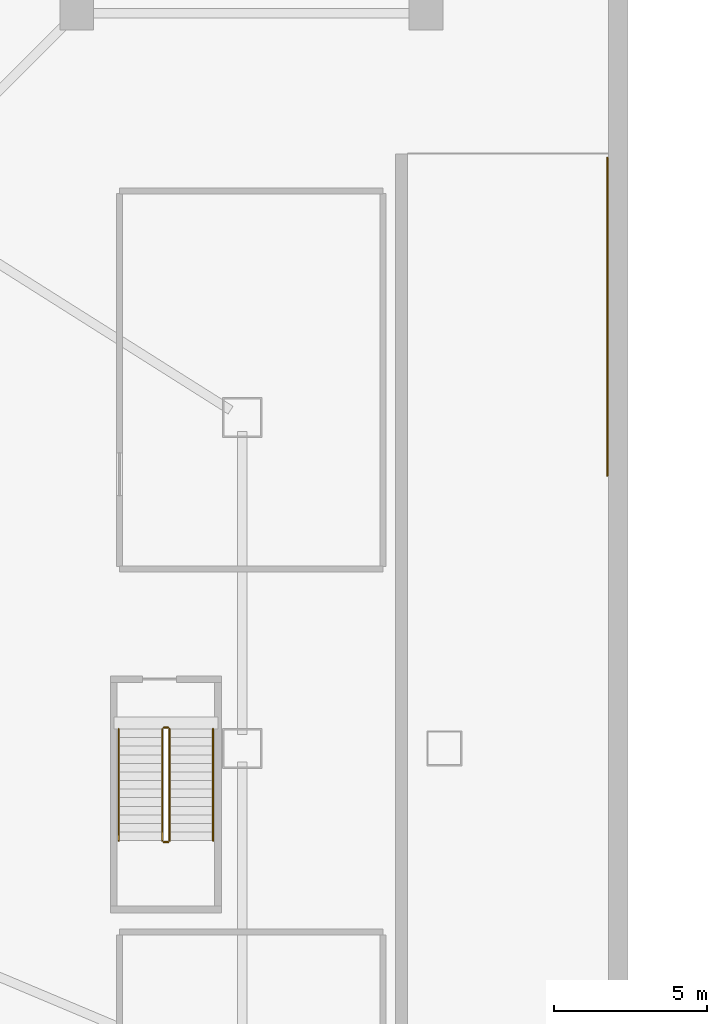
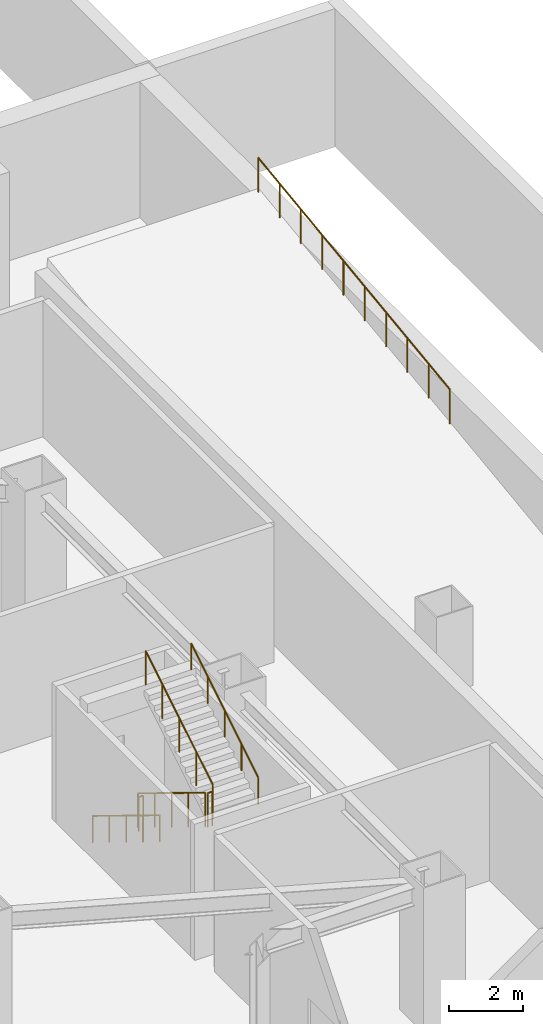
# One storey, part 14 of 15: 7 railings.
"""IFC4 building model written with IfcOpenShell, lengths in metres."""

from ifc_helpers import new_model, si_unit, direction, frame, origin, origin_2d, place, context, subcontext, project, spatial, circle, extrude, material, type_object, element, save


model = new_model("IFC4")

# Units and contexts
model_context = context("Model", 3, precision=1e-05, world=origin(), true_north=direction((0.0, 1.0)))
body_context = subcontext(model_context, "Body", "Model", "MODEL_VIEW")
ifc_project = project(units=[si_unit("LENGTHUNIT", "METRE"), si_unit("AREAUNIT", "SQUARE_METRE"), si_unit("VOLUMEUNIT", "CUBIC_METRE"), si_unit("PLANEANGLEUNIT", "RADIAN"), si_unit("MASSUNIT", "GRAM", prefix="KILO")], contexts=[model_context])

# Site, building, storey
site_placement = place(None, origin())
site = spatial("IfcSite", under=ifc_project, at=site_placement, CompositionType="ELEMENT")
building_placement = place(site_placement, origin())
building = spatial("IfcBuilding", under=site, at=building_placement, Name="Haolan Belvedere Tower", CompositionType="ELEMENT")
storey_placement = place(building_placement, frame((0.0, 0.0, -4.800048828125)))
storey = spatial("IfcBuildingStorey", under=building, at=storey_placement, Name="B1", CompositionType="ELEMENT", Elevation=-4.800048828125)

# Railings
ifc_material_1 = material(Name="Galvanised powder-coated steel guardrail", Category="steel")
railing_type_1 = type_object("IfcRailingType", Name="RL-REF-GRD-1150", PredefinedType="GUARDRAIL", material=ifc_material_1)
railing_1_placement = place(storey_placement, frame((76.1201171875, 36.5, 3.419189453125)))
element("IfcRailing", 1, at=railing_1_placement, inside=storey, type_object=railing_type_1, Name="B1 east vehicle ramp VR-02 eastern edge guardrail", PredefinedType="GUARDRAIL", context=body_context, shape_type="SweptSolid", body=[
    extrude(circle(Radius=0.02392578125, at=origin_2d()), frame((0.0, 0.0, 1.1259765625), z_axis=(0.0, 0.991463976316, 0.130380917574), x_axis=(-1.0, 0.0, 0.0)), (0.0, 0.0, 1.0), 10.46923828125),
    extrude(circle(Radius=0.02099609375, at=origin_2d()), origin(), (0.0, 0.0, 1.0), 1.101806640625),
    extrude(circle(Radius=0.02099609375, at=origin_2d()), frame((0.0, 1.1533203125, 0.151611328125)), (0.0, 0.0, 1.0), 1.101806640625),
    extrude(circle(Radius=0.02099609375, at=origin_2d()), frame((0.0, 2.306640625, 0.30322265625)), (0.0, 0.0, 1.0), 1.101806640625),
    extrude(circle(Radius=0.02099609375, at=origin_2d()), frame((0.0, 3.4599609375, 0.455078125)), (0.0, 0.0, 1.0), 1.101806640625),
    extrude(circle(Radius=0.02099609375, at=origin_2d()), frame((0.0, 4.61328125, 0.606689453125)), (0.0, 0.0, 1.0), 1.101806640625),
    extrude(circle(Radius=0.02099609375, at=origin_2d()), frame((0.0, 5.7666015625, 0.75830078125)), (0.0, 0.0, 1.0), 1.101806640625),
    extrude(circle(Radius=0.02099609375, at=origin_2d()), frame((0.0, 6.919921875, 0.909912109375)), (0.0, 0.0, 1.0), 1.101806640625),
    extrude(circle(Radius=0.02099609375, at=origin_2d()), frame((0.0, 8.0732421875, 1.061767578125)), (0.0, 0.0, 1.0), 1.101806640625),
    extrude(circle(Radius=0.02099609375, at=origin_2d()), frame((0.0, 9.2265625, 1.21337890625)), (0.0, 0.0, 1.0), 1.101806640625),
    extrude(circle(Radius=0.02099609375, at=origin_2d()), frame((0.0, 10.3798828125, 1.364990234375)), (0.0, 0.0, 1.0), 1.101806640625),
])
ifc_material_2 = material(Name="Brushed stainless steel 304", Category="steel")
railing_type_2 = type_object("IfcRailingType", Name="RL-STAIR-GRD-1150", PredefinedType="GUARDRAIL", material=ifc_material_2)
railing_2_placement = place(storey_placement, frame((61.590087890625, 28.22998046875, 0.17138671875)))
element("IfcRailing", 2, at=railing_2_placement, inside=storey, type_object=railing_type_2, Name="B1 ST5 stair guard 1", PredefinedType="GUARDRAIL", context=body_context, shape_type="SweptSolid", body=[
    extrude(circle(Radius=0.02392578125, at=origin_2d()), frame((0.0, 0.0, 1.1259765625), z_axis=(0.0, -0.852824790078, 0.522197163366), x_axis=(1.0, 0.0, 0.0)), (0.0, 0.0, 1.0), 4.26806640625),
    extrude(circle(Radius=0.02099609375, at=origin_2d()), origin(), (0.0, 0.0, 1.0), 1.101806640625),
    extrude(circle(Radius=0.02099609375, at=origin_2d()), frame((0.0, -0.909912109375, 0.55712890625)), (0.0, 0.0, 1.0), 1.101806640625),
    extrude(circle(Radius=0.02099609375, at=origin_2d()), frame((0.0, -1.81982421875, 1.1142578125)), (0.0, 0.0, 1.0), 1.101806640625),
    extrude(circle(Radius=0.02099609375, at=origin_2d()), frame((0.0, -2.72998046875, 1.671630859375)), (0.0, 0.0, 1.0), 1.101806640625),
    extrude(circle(Radius=0.02099609375, at=origin_2d()), frame((0.0, -3.639892578125, 2.228759765625)), (0.0, 0.0, 1.0), 1.101806640625),
])
railing_3_placement = place(storey_placement, frame((61.639892578125, 24.5400390625, 2.400146484375)))
element("IfcRailing", 3, at=railing_3_placement, inside=storey, type_object=railing_type_2, Name="B1 ST5 stair guard 2", PredefinedType="GUARDRAIL", context=body_context, shape_type="SweptSolid", body=[
    extrude(circle(Radius=0.02392578125, at=origin_2d()), frame((0.0, 0.0, 1.1259765625), z_axis=(1.0, 0.0, 0.0), x_axis=(0.0, 1.0, 0.0)), (0.0, 0.0, 1.0), 0.14013671875),
    extrude(circle(Radius=0.02099609375, at=origin_2d()), origin(), (0.0, 0.0, 1.0), 1.101806640625),
    extrude(circle(Radius=0.02099609375, at=origin_2d()), frame((0.14013671875, 0.0, 0.0)), (0.0, 0.0, 1.0), 1.101806640625),
])
railing_4_placement = place(storey_placement, frame((61.830078125, 24.590087890625, 2.571533203125)))
element("IfcRailing", 4, at=railing_4_placement, inside=storey, type_object=railing_type_2, Name="B1 ST5 stair guard 3", PredefinedType="GUARDRAIL", context=body_context, shape_type="SweptSolid", body=[
    extrude(circle(Radius=0.02392578125, at=origin_2d()), frame((0.0, 0.0, 1.1259765625), z_axis=(0.0, 0.852850264322, 0.5221555579), x_axis=(-1.0, 0.0, 0.0)), (0.0, 0.0, 1.0), 4.267822265625),
    extrude(circle(Radius=0.02099609375, at=origin_2d()), origin(), (0.0, 0.0, 1.0), 1.101806640625),
    extrude(circle(Radius=0.02099609375, at=origin_2d()), frame((0.0, 0.909912109375, 0.55712890625)), (0.0, 0.0, 1.0), 1.101806640625),
    extrude(circle(Radius=0.02099609375, at=origin_2d()), frame((0.0, 1.81982421875, 1.1142578125)), (0.0, 0.0, 1.0), 1.101806640625),
    extrude(circle(Radius=0.02099609375, at=origin_2d()), frame((0.0, 2.72998046875, 1.67138671875)), (0.0, 0.0, 1.0), 1.101806640625),
    extrude(circle(Radius=0.02099609375, at=origin_2d()), frame((0.0, 3.639892578125, 2.228515625)), (0.0, 0.0, 1.0), 1.101806640625),
])
railing_5_placement = place(storey_placement, frame((61.639892578125, 28.280029296875, 0.0)))
element("IfcRailing", 5, at=railing_5_placement, inside=storey, type_object=railing_type_2, Name="B1 ST5 stair guard 4", PredefinedType="GUARDRAIL", context=body_context, shape_type="SweptSolid", body=[
    extrude(circle(Radius=0.02392578125, at=origin_2d()), frame((0.0, 0.0, 1.1259765625), z_axis=(1.0, 0.0, 0.0), x_axis=(0.0, 1.0, 0.0)), (0.0, 0.0, 1.0), 0.14013671875),
    extrude(circle(Radius=0.02099609375, at=origin_2d()), origin(), (0.0, 0.0, 1.0), 1.101806640625),
    extrude(circle(Radius=0.02099609375, at=origin_2d()), frame((0.14013671875, 0.0, 0.0)), (0.0, 0.0, 1.0), 1.101806640625),
])
railing_type_3 = type_object("IfcRailingType", Name="RL-STAIR-HND-900", PredefinedType="HANDRAIL", material=ifc_material_2)
railing_6_placement = place(storey_placement, frame((60.169921875, 28.22998046875, 0.17138671875)))
element("IfcRailing", 6, at=railing_6_placement, inside=storey, type_object=railing_type_3, Name="B1 ST5 stair handrail 1", PredefinedType="HANDRAIL", context=body_context, shape_type="SweptSolid", body=[
    extrude(circle(Radius=0.02392578125, at=origin_2d()), frame((0.0, 0.0, 0.8759765625), z_axis=(0.0, -0.852824790078, 0.522197163366), x_axis=(1.0, 0.0, 0.0)), (0.0, 0.0, 1.0), 4.26806640625),
    extrude(circle(Radius=0.02099609375, at=origin_2d()), origin(), (0.0, 0.0, 1.0), 0.851806640625),
    extrude(circle(Radius=0.02099609375, at=origin_2d()), frame((0.0, -0.909912109375, 0.55712890625)), (0.0, 0.0, 1.0), 0.851806640625),
    extrude(circle(Radius=0.02099609375, at=origin_2d()), frame((0.0, -1.81982421875, 1.1142578125)), (0.0, 0.0, 1.0), 0.851806640625),
    extrude(circle(Radius=0.02099609375, at=origin_2d()), frame((0.0, -2.72998046875, 1.671630859375)), (0.0, 0.0, 1.0), 0.851806640625),
    extrude(circle(Radius=0.02099609375, at=origin_2d()), frame((0.0, -3.639892578125, 2.228759765625)), (0.0, 0.0, 1.0), 0.851806640625),
])
railing_7_placement = place(storey_placement, frame((63.25, 24.590087890625, 2.571533203125)))
element("IfcRailing", 7, at=railing_7_placement, inside=storey, type_object=railing_type_3, Name="B1 ST5 stair handrail 2", PredefinedType="HANDRAIL", context=body_context, shape_type="SweptSolid", body=[
    extrude(circle(Radius=0.02392578125, at=origin_2d()), frame((0.0, 0.0, 0.8759765625), z_axis=(0.0, 0.852850264322, 0.5221555579), x_axis=(-1.0, 0.0, 0.0)), (0.0, 0.0, 1.0), 4.267822265625),
    extrude(circle(Radius=0.02099609375, at=origin_2d()), origin(), (0.0, 0.0, 1.0), 0.851806640625),
    extrude(circle(Radius=0.02099609375, at=origin_2d()), frame((0.0, 0.909912109375, 0.55712890625)), (0.0, 0.0, 1.0), 0.851806640625),
    extrude(circle(Radius=0.02099609375, at=origin_2d()), frame((0.0, 1.81982421875, 1.1142578125)), (0.0, 0.0, 1.0), 0.851806640625),
    extrude(circle(Radius=0.02099609375, at=origin_2d()), frame((0.0, 2.72998046875, 1.67138671875)), (0.0, 0.0, 1.0), 0.851806640625),
    extrude(circle(Radius=0.02099609375, at=origin_2d()), frame((0.0, 3.639892578125, 2.228515625)), (0.0, 0.0, 1.0), 0.851806640625),
])

save(model, "model.ifc")
